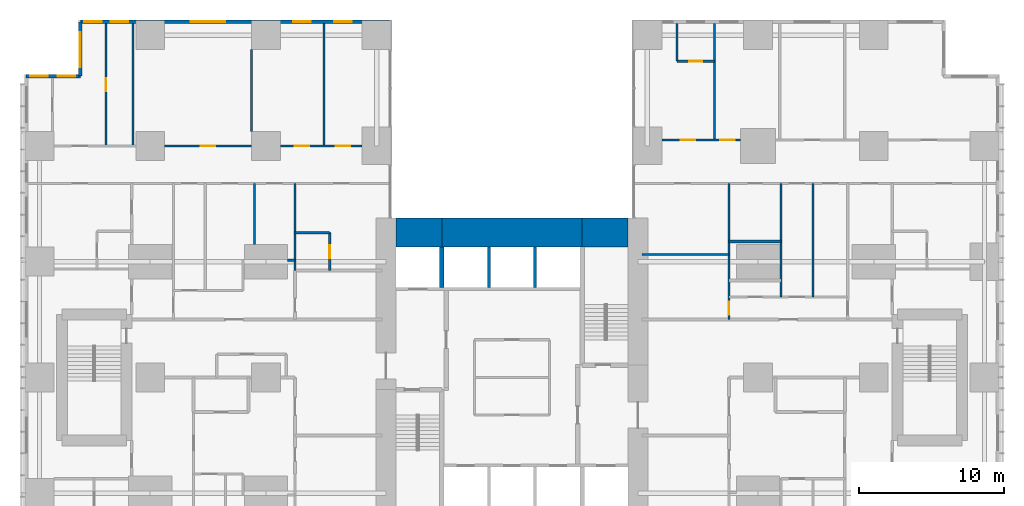
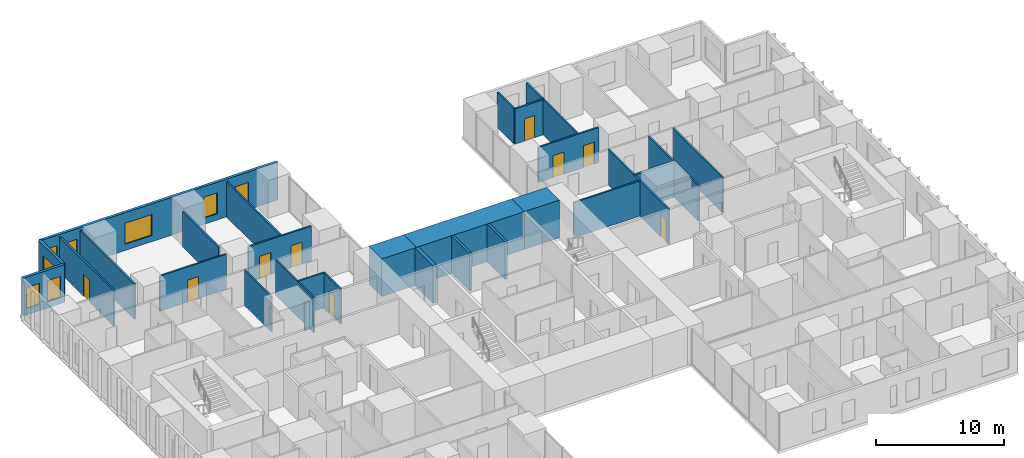
# One storey, part 17 of 20: 29 walls, 9 doors, 8 windows, 17 openings.
"""IFC4 building model written with IfcOpenShell, lengths in metres."""

from ifc_helpers import new_model, si_unit, direction, frame, frame_2d, origin, place, context, subcontext, project, spatial, rectangle, extrude, material, layer, layer_set, type_object, element, fill, save


model = new_model("IFC4")

# Units and contexts
model_context = context("Model", 3, precision=1e-05, world=origin(), true_north=direction((0.0, 1.0)))
body_context = subcontext(model_context, "Body", "Model", "MODEL_VIEW")
ifc_project = project(units=[si_unit("LENGTHUNIT", "METRE"), si_unit("AREAUNIT", "SQUARE_METRE"), si_unit("VOLUMEUNIT", "CUBIC_METRE"), si_unit("PLANEANGLEUNIT", "RADIAN"), si_unit("MASSUNIT", "GRAM", prefix="KILO")], contexts=[model_context])

# Site, building, storey
site_placement = place(None, origin())
site = spatial("IfcSite", under=ifc_project, at=site_placement, CompositionType="ELEMENT")
building_placement = place(site_placement, origin())
building = spatial("IfcBuilding", under=site, at=building_placement, Name="Cleftline Residences", CompositionType="ELEMENT")
storey_placement = place(building_placement, frame((0.0, 0.0, 69.199951171875)))
storey = spatial("IfcBuildingStorey", under=building, at=storey_placement, Name="L17", CompositionType="ELEMENT", Elevation=69.199951171875)

# Walls
ifc_material_1 = material(Name="Concrete B70", Category="concrete")
ifc_layer_1 = layer(ifc_material_1, 2.0)
ifc_layer_set_1 = layer_set([ifc_layer_1], Name="CORE WALL 2000")
wall_type_1 = type_object("IfcWallType", Name="CORE WALL 2000", PredefinedType="SHEAR", material=ifc_layer_set_1)
wall_1_placement = place(storey_placement, frame((25.0, 34.0, 0.0), z_axis=(0.0, 0.0, 1.0), x_axis=(1.0, 0.0, 0.0)))
element("IfcWall", 1, at=wall_1_placement, inside=storey, type_object=wall_type_1, Name="Core wall N1", PredefinedType="SHEAR", context=body_context, shape_type="SweptSolid", body=[
    extrude(rectangle(XDim=3.14990234375, YDim=2.0, at=frame_2d((1.574951171875, 0.0))), origin(), (0.0, 0.0, 1.0), 3.60009765625),
])
wall_2_placement = place(storey_placement, frame((28.14990234375, 34.0, 0.0), z_axis=(0.0, 0.0, 1.0), x_axis=(1.0, 0.0, 0.0)))
element("IfcWall", 2, at=wall_2_placement, inside=storey, type_object=wall_type_1, Name="Core wall N2", PredefinedType="SHEAR", context=body_context, shape_type="SweptSolid", body=[
    extrude(rectangle(XDim=9.7001953125, YDim=2.0, at=frame_2d((4.85009765625, 0.0))), origin(), (0.0, 0.0, 1.0), 3.60009765625),
])
wall_3_placement = place(storey_placement, frame((37.85009765625, 34.0, 0.0), z_axis=(0.0, 0.0, 1.0), x_axis=(1.0, 0.0, 0.0)))
element("IfcWall", 3, at=wall_3_placement, inside=storey, type_object=wall_type_1, Name="Core wall N3", PredefinedType="SHEAR", context=body_context, shape_type="SweptSolid", body=[
    extrude(rectangle(XDim=3.14990234375, YDim=2.0, at=frame_2d((1.574951171875, 0.0))), origin(), (0.0, 0.0, 1.0), 3.60009765625),
])
ifc_material_2 = material(Name="Concrete B70", Category="concrete")
ifc_layer_2 = layer(ifc_material_2, 0.300048828125)
ifc_layer_set_2 = layer_set([ifc_layer_2], Name="CORE WALL 300")
wall_type_2 = type_object("IfcWallType", Name="CORE WALL 300", PredefinedType="SHEAR", material=ifc_layer_set_2)
wall_4_placement = place(storey_placement, frame((28.14990234375, 30.199951171875, 0.0), z_axis=(0.0, 0.0, 1.0), x_axis=(0.0, 1.0, 0.0)))
element("IfcWall", 4, at=wall_4_placement, inside=storey, type_object=wall_type_2, Name="Lift shaft wall", PredefinedType="SHEAR", context=body_context, shape_type="SweptSolid", body=[
    extrude(rectangle(XDim=2.800048828125, YDim=0.300048828125, at=frame_2d((1.39990234375, 0.0))), origin(), (0.0, 0.0, 1.0), 3.60009765625),
])

# Wall, openings, windows
ifc_material_3 = material(Name="Rendered reinforced concrete blockwork", Category="masonry")
ifc_layer_3 = layer(ifc_material_3, 0.25)
ifc_layer_set_3 = layer_set([ifc_layer_3], Name="EXTERNAL WALL 250")
wall_type_3 = type_object("IfcWallType", Name="EXTERNAL WALL 250", PredefinedType="SOLIDWALL", material=ifc_layer_set_3)
wall_5_placement = place(storey_placement, frame((24.574951171875, 48.574951171875, 0.0), z_axis=(0.0, 0.0, 1.0), x_axis=(-1.0, 0.0, 0.0)))
wall_5 = element("IfcWall", 5, at=wall_5_placement, inside=storey, type_object=wall_type_3, Name="External wall", PredefinedType="SOLIDWALL", context=body_context, shape_type="SweptSolid", body=[
    extrude(rectangle(XDim=21.39990234375, YDim=0.25, at=frame_2d((10.699951171875, 0.0))), origin(), (0.0, 0.0, 1.0), 3.60009765625),
])
opening_1_placement = place(wall_5_placement, frame((2.64990234375, 0.0, 0.60009765625)))
opening_1 = element("IfcOpeningElement", 6, at=opening_1_placement, cuts=wall_5, Name="Opening W8", PredefinedType="OPENING", context=body_context, shape_type="SweptSolid", body=[
    extrude(rectangle(XDim=1.199951171875, YDim=2.0, at=frame_2d((0.60009765625, 1.0))), frame((0.0, 0.135009765625, 0.0), z_axis=(0.0, -1.0, 0.0), x_axis=(1.0, 0.0, 0.0)), (0.0, 0.0, 1.0), 0.27001953125),
])
opening_2_placement = place(wall_5_placement, frame((5.47509765625, 0.0, 0.60009765625)))
opening_2 = element("IfcOpeningElement", 7, at=opening_2_placement, cuts=wall_5, Name="Opening W8", PredefinedType="OPENING", context=body_context, shape_type="SweptSolid", body=[
    extrude(rectangle(XDim=1.199951171875, YDim=2.0, at=frame_2d((0.60009765625, 1.0))), frame((0.0, 0.135009765625, 0.0), z_axis=(0.0, -1.0, 0.0), x_axis=(1.0, 0.0, 0.0)), (0.0, 0.0, 1.0), 0.27001953125),
])
opening_3_placement = place(wall_5_placement, frame((11.375, 0.0, 0.60009765625)))
opening_3 = element("IfcOpeningElement", 8, at=opening_3_placement, cuts=wall_5, Name="Opening W6", PredefinedType="OPENING", context=body_context, shape_type="SweptSolid", body=[
    extrude(rectangle(XDim=2.39990234375, YDim=2.0, at=frame_2d((1.199951171875, 1.0))), frame((0.0, 0.135009765625, 0.0), z_axis=(0.0, -1.0, 0.0), x_axis=(1.0, 0.0, 0.0)), (0.0, 0.0, 1.0), 0.27001953125),
])
opening_4_placement = place(wall_5_placement, frame((18.10009765625, 0.0, 0.60009765625)))
opening_4 = element("IfcOpeningElement", 9, at=opening_4_placement, cuts=wall_5, Name="Opening W8", PredefinedType="OPENING", context=body_context, shape_type="SweptSolid", body=[
    extrude(rectangle(XDim=1.199951171875, YDim=2.0, at=frame_2d((0.60009765625, 1.0))), frame((0.0, 0.135009765625, 0.0), z_axis=(0.0, -1.0, 0.0), x_axis=(1.0, 0.0, 0.0)), (0.0, 0.0, 1.0), 0.27001953125),
])
opening_5_placement = place(wall_5_placement, frame((19.925048828125, 0.0, 0.60009765625)))
opening_5 = element("IfcOpeningElement", 10, at=opening_5_placement, cuts=wall_5, Name="Opening W8", PredefinedType="OPENING", context=body_context, shape_type="SweptSolid", body=[
    extrude(rectangle(XDim=1.199951171875, YDim=2.0, at=frame_2d((0.60009765625, 1.0))), frame((0.0, 0.135009765625, 0.0), z_axis=(0.0, -1.0, 0.0), x_axis=(1.0, 0.0, 0.0)), (0.0, 0.0, 1.0), 0.27001953125),
])
ifc_material_4 = material(Name="Aluminium frame, clear double glazing", Category="aluminium")
window_type_1 = type_object("IfcWindowType", Name="WINDOW 1200X2000", PartitioningType="DOUBLE_PANEL_VERTICAL", PredefinedType="WINDOW", material=ifc_material_4)
window_1_placement = place(opening_1_placement, origin())
window_1 = element("IfcWindow", 11, at=window_1_placement, inside=storey, type_object=window_type_1, Name="Window", OverallHeight=2.0, OverallWidth=1.199951171875, PartitioningType="SINGLE_PANEL", PredefinedType="WINDOW", context=body_context, shape_type="SweptSolid", body=[
    extrude(rectangle(XDim=1.199951171875, YDim=2.0, at=frame_2d((0.60009765625, 1.0))), frame((0.0, 0.030029296875, 0.0), z_axis=(0.0, -1.0, 0.0), x_axis=(1.0, 0.0, 0.0)), (0.0, 0.0, 1.0), 0.06005859375),
])
fill(opening_1, window_1)
window_2_placement = place(opening_2_placement, origin())
window_2 = element("IfcWindow", 12, at=window_2_placement, inside=storey, type_object=window_type_1, Name="Window", OverallHeight=2.0, OverallWidth=1.199951171875, PartitioningType="SINGLE_PANEL", PredefinedType="WINDOW", context=body_context, shape_type="SweptSolid", body=[
    extrude(rectangle(XDim=1.199951171875, YDim=2.0, at=frame_2d((0.60009765625, 1.0))), frame((0.0, 0.030029296875, 0.0), z_axis=(0.0, -1.0, 0.0), x_axis=(1.0, 0.0, 0.0)), (0.0, 0.0, 1.0), 0.06005859375),
])
fill(opening_2, window_2)
window_3_placement = place(opening_4_placement, origin())
window_3 = element("IfcWindow", 13, at=window_3_placement, inside=storey, type_object=window_type_1, Name="Window", OverallHeight=2.0, OverallWidth=1.199951171875, PartitioningType="SINGLE_PANEL", PredefinedType="WINDOW", context=body_context, shape_type="SweptSolid", body=[
    extrude(rectangle(XDim=1.199951171875, YDim=2.0, at=frame_2d((0.60009765625, 1.0))), frame((0.0, 0.030029296875, 0.0), z_axis=(0.0, -1.0, 0.0), x_axis=(1.0, 0.0, 0.0)), (0.0, 0.0, 1.0), 0.06005859375),
])
fill(opening_4, window_3)
window_4_placement = place(opening_5_placement, origin())
window_4 = element("IfcWindow", 14, at=window_4_placement, inside=storey, type_object=window_type_1, Name="Window", OverallHeight=2.0, OverallWidth=1.199951171875, PartitioningType="SINGLE_PANEL", PredefinedType="WINDOW", context=body_context, shape_type="SweptSolid", body=[
    extrude(rectangle(XDim=1.199951171875, YDim=2.0, at=frame_2d((0.60009765625, 1.0))), frame((0.0, 0.030029296875, 0.0), z_axis=(0.0, -1.0, 0.0), x_axis=(1.0, 0.0, 0.0)), (0.0, 0.0, 1.0), 0.06005859375),
])
fill(opening_5, window_4)
ifc_material_5 = material(Name="Aluminium frame, clear double glazing", Category="aluminium")
window_type_2 = type_object("IfcWindowType", Name="WINDOW 2400X2000", PartitioningType="DOUBLE_PANEL_VERTICAL", PredefinedType="WINDOW", material=ifc_material_5)
window_5_placement = place(opening_3_placement, origin())
window_5 = element("IfcWindow", 15, at=window_5_placement, inside=storey, type_object=window_type_2, Name="Window", OverallHeight=2.0, OverallWidth=2.39990234375, PartitioningType="SINGLE_PANEL", PredefinedType="WINDOW", context=body_context, shape_type="SweptSolid", body=[
    extrude(rectangle(XDim=2.39990234375, YDim=2.0, at=frame_2d((1.199951171875, 1.0))), frame((0.0, 0.030029296875, 0.0), z_axis=(0.0, -1.0, 0.0), x_axis=(1.0, 0.0, 0.0)), (0.0, 0.0, 1.0), 0.06005859375),
])
fill(opening_3, window_5)

# Wall, opening, window
wall_6_placement = place(storey_placement, frame((3.175048828125, 48.574951171875, 0.0), z_axis=(0.0, 0.0, 1.0), x_axis=(0.0, -1.0, 0.0)))
wall_6 = element("IfcWall", 16, at=wall_6_placement, inside=storey, type_object=wall_type_3, Name="External wall", PredefinedType="SOLIDWALL", context=body_context, shape_type="SweptSolid", body=[
    extrude(rectangle(XDim=3.75, YDim=0.25, at=frame_2d((1.875, 0.0))), origin(), (0.0, 0.0, 1.0), 3.60009765625),
])
opening_6_placement = place(wall_6_placement, frame((0.737548828125, 0.0, 0.60009765625)))
opening_6 = element("IfcOpeningElement", 17, at=opening_6_placement, cuts=wall_6, Name="Opening W6", PredefinedType="OPENING", context=body_context, shape_type="SweptSolid", body=[
    extrude(rectangle(XDim=2.39990234375, YDim=2.0, at=frame_2d((1.199951171875, 1.0))), frame((0.0, 0.135009765625, 0.0), z_axis=(0.0, -1.0, 0.0), x_axis=(1.0, 0.0, 0.0)), (0.0, 0.0, 1.0), 0.27001953125),
])
window_6_placement = place(opening_6_placement, origin())
window_6 = element("IfcWindow", 18, at=window_6_placement, inside=storey, type_object=window_type_2, Name="Window", OverallHeight=2.0, OverallWidth=2.39990234375, PartitioningType="SINGLE_PANEL", PredefinedType="WINDOW", context=body_context, shape_type="SweptSolid", body=[
    extrude(rectangle(XDim=2.39990234375, YDim=2.0, at=frame_2d((1.199951171875, 1.0))), frame((0.0, 0.030029296875, 0.0), z_axis=(0.0, -1.0, 0.0), x_axis=(1.0, 0.0, 0.0)), (0.0, 0.0, 1.0), 0.06005859375),
])
fill(opening_6, window_6)

# Wall, openings, windows
wall_7_placement = place(storey_placement, frame((3.175048828125, 44.824951171875, 0.0), z_axis=(0.0, 0.0, 1.0), x_axis=(-1.0, 0.0, 0.0)))
wall_7 = element("IfcWall", 19, at=wall_7_placement, inside=storey, type_object=wall_type_3, Name="External wall", PredefinedType="SOLIDWALL", context=body_context, shape_type="SweptSolid", body=[
    extrude(rectangle(XDim=3.75, YDim=0.25, at=frame_2d((1.875, 0.0))), origin(), (0.0, 0.0, 1.0), 3.60009765625),
])
opening_7_placement = place(wall_7_placement, frame((0.362548828125, 0.0, 0.60009765625)))
opening_7 = element("IfcOpeningElement", 20, at=opening_7_placement, cuts=wall_7, Name="Opening W8", PredefinedType="OPENING", context=body_context, shape_type="SweptSolid", body=[
    extrude(rectangle(XDim=1.199951171875, YDim=2.0, at=frame_2d((0.60009765625, 1.0))), frame((0.0, 0.135009765625, 0.0), z_axis=(0.0, -1.0, 0.0), x_axis=(1.0, 0.0, 0.0)), (0.0, 0.0, 1.0), 0.27001953125),
])
opening_8_placement = place(wall_7_placement, frame((2.25, 0.0, 0.60009765625)))
opening_8 = element("IfcOpeningElement", 21, at=opening_8_placement, cuts=wall_7, Name="Opening W8", PredefinedType="OPENING", context=body_context, shape_type="SweptSolid", body=[
    extrude(rectangle(XDim=1.199951171875, YDim=2.0, at=frame_2d((0.60009765625, 1.0))), frame((0.0, 0.135009765625, 0.0), z_axis=(0.0, -1.0, 0.0), x_axis=(1.0, 0.0, 0.0)), (0.0, 0.0, 1.0), 0.27001953125),
])
window_7_placement = place(opening_7_placement, origin())
window_7 = element("IfcWindow", 22, at=window_7_placement, inside=storey, type_object=window_type_1, Name="Window", OverallHeight=2.0, OverallWidth=1.199951171875, PartitioningType="SINGLE_PANEL", PredefinedType="WINDOW", context=body_context, shape_type="SweptSolid", body=[
    extrude(rectangle(XDim=1.199951171875, YDim=2.0, at=frame_2d((0.60009765625, 1.0))), frame((0.0, 0.030029296875, 0.0), z_axis=(0.0, -1.0, 0.0), x_axis=(1.0, 0.0, 0.0)), (0.0, 0.0, 1.0), 0.06005859375),
])
fill(opening_7, window_7)
window_8_placement = place(opening_8_placement, origin())
window_8 = element("IfcWindow", 23, at=window_8_placement, inside=storey, type_object=window_type_1, Name="Window", OverallHeight=2.0, OverallWidth=1.199951171875, PartitioningType="SINGLE_PANEL", PredefinedType="WINDOW", context=body_context, shape_type="SweptSolid", body=[
    extrude(rectangle(XDim=1.199951171875, YDim=2.0, at=frame_2d((0.60009765625, 1.0))), frame((0.0, 0.030029296875, 0.0), z_axis=(0.0, -1.0, 0.0), x_axis=(1.0, 0.0, 0.0)), (0.0, 0.0, 1.0), 0.06005859375),
])
fill(opening_8, window_8)

# Walls
ifc_material_6 = material(Name="Concrete blockwork, fire rated", Category="masonry")
ifc_layer_4 = layer(ifc_material_6, 0.199951171875)
ifc_layer_set_4 = layer_set([ifc_layer_4], Name="FIRE WALL 200")
wall_type_4 = type_object("IfcWallType", Name="FIRE WALL 200", PredefinedType="PARTITIONING", material=ifc_layer_set_4)
wall_8_placement = place(storey_placement, frame((48.0, 33.39990234375, 0.0), z_axis=(0.0, 0.0, 1.0), x_axis=(1.0, 0.0, 0.0)))
element("IfcWall", 24, at=wall_8_placement, inside=storey, type_object=wall_type_4, Name="Fire separating wall", PredefinedType="PARTITIONING", context=body_context, shape_type="SweptSolid", body=[
    extrude(rectangle(XDim=3.60009765625, YDim=0.199951171875, at=frame_2d((1.800048828125, 0.0))), origin(), (0.0, 0.0, 1.0), 3.35009765625),
])
ifc_material_7 = material(Name="Gypsum board on steel studs", Category="steel")
ifc_layer_5 = layer(ifc_material_7, 0.14990234375)
ifc_layer_set_5 = layer_set([ifc_layer_5], Name="PARTITION 150")
wall_type_5 = type_object("IfcWallType", Name="PARTITION 150", PredefinedType="PARTITIONING", material=ifc_layer_set_5)
wall_9_placement = place(storey_placement, frame((17.5, 32.10009765625, 0.0), z_axis=(0.0, 0.0, 1.0), x_axis=(1.0, 0.0, 0.0)))
element("IfcWall", 25, at=wall_9_placement, inside=storey, type_object=wall_type_5, Name="Partition", PredefinedType="PARTITIONING", context=body_context, shape_type="SweptSolid", body=[
    extrude(rectangle(XDim=0.5, YDim=0.14990234375, at=frame_2d((0.25, 0.0))), origin(), (0.0, 0.0, 1.0), 2.634033203125),
])
wall_10_placement = place(storey_placement, frame((42.0, 32.5, 0.0), z_axis=(0.0, 0.0, 1.0), x_axis=(1.0, 0.0, 0.0)))
element("IfcWall", 26, at=wall_10_placement, inside=storey, type_object=wall_type_5, Name="Partition", PredefinedType="PARTITIONING", context=body_context, shape_type="SweptSolid", body=[
    extrude(rectangle(XDim=6.0, YDim=0.14990234375, at=frame_2d((3.0, 0.0))), origin(), (0.0, 0.0, 1.0), 3.35009765625),
])
wall_11_placement = place(storey_placement, frame((18.0, 34.0, 0.0), z_axis=(0.0, 0.0, 1.0), x_axis=(1.0, 0.0, 0.0)))
element("IfcWall", 27, at=wall_11_placement, inside=storey, type_object=wall_type_5, Name="Partition", PredefinedType="PARTITIONING", context=body_context, shape_type="SweptSolid", body=[
    extrude(rectangle(XDim=2.39990234375, YDim=0.14990234375, at=frame_2d((1.199951171875, 0.0))), origin(), (0.0, 0.0, 1.0), 3.35009765625),
])

# Wall, opening, door
wall_12_placement = place(storey_placement, frame((9.0, 40.0, 0.0), z_axis=(0.0, 0.0, 1.0), x_axis=(1.0, 0.0, 0.0)))
wall_12 = element("IfcWall", 28, at=wall_12_placement, inside=storey, type_object=wall_type_5, Name="Partition", PredefinedType="PARTITIONING", context=body_context, shape_type="SweptSolid", body=[
    extrude(rectangle(XDim=6.0, YDim=0.14990234375, at=frame_2d((3.0, 0.0))), origin(), (0.0, 0.0, 1.0), 3.35009765625),
])
opening_9_placement = place(wall_12_placement, frame((2.5, 0.0, 0.0)))
opening_9 = element("IfcOpeningElement", 29, at=opening_9_placement, cuts=wall_12, Name="Opening D2", PredefinedType="OPENING", context=body_context, shape_type="SweptSolid", body=[
    extrude(rectangle(XDim=1.0, YDim=2.10009765625, at=frame_2d((0.5, 1.050048828125))), frame((0.0, 0.0849609375, 0.0), z_axis=(0.0, -1.0, 0.0), x_axis=(1.0, 0.0, 0.0)), (0.0, 0.0, 1.0), 0.169921875),
])
ifc_material_8 = material(Name="Timber veneer on solid core", Category="wood")
door_type_1 = type_object("IfcDoorType", Name="DOOR 1000X2100", OperationType="SINGLE_SWING_LEFT", PredefinedType="DOOR", material=ifc_material_8)
door_1_placement = place(opening_9_placement, origin())
door_1 = element("IfcDoor", 30, at=door_1_placement, inside=storey, type_object=door_type_1, Name="Door to living room", OperationType="SINGLE_SWING_LEFT", OverallHeight=2.10009765625, OverallWidth=1.0, PredefinedType="DOOR", context=body_context, shape_type="SweptSolid", body=[
    extrude(rectangle(XDim=1.0, YDim=2.10009765625, at=frame_2d((0.5, 1.050048828125))), frame((0.0, 0.02490234375, 0.0), z_axis=(0.0, -1.0, 0.0), x_axis=(1.0, 0.0, 0.0)), (0.0, 0.0, 1.0), 0.050048828125),
])
fill(opening_9, door_1)

# Wall, openings, doors
wall_13_placement = place(storey_placement, frame((17.0, 40.0, 0.0), z_axis=(0.0, 0.0, 1.0), x_axis=(1.0, 0.0, 0.0)))
wall_13 = element("IfcWall", 31, at=wall_13_placement, inside=storey, type_object=wall_type_5, Name="Partition", PredefinedType="PARTITIONING", context=body_context, shape_type="SweptSolid", body=[
    extrude(rectangle(XDim=5.64990234375, YDim=0.14990234375, at=frame_2d((2.824951171875, 0.0))), origin(), (0.0, 0.0, 1.0), 3.35009765625),
])
opening_10_placement = place(wall_13_placement, frame((1.0, 0.0, 0.0)))
opening_10 = element("IfcOpeningElement", 32, at=opening_10_placement, cuts=wall_13, Name="Opening D2", PredefinedType="OPENING", context=body_context, shape_type="SweptSolid", body=[
    extrude(rectangle(XDim=1.0, YDim=2.10009765625, at=frame_2d((0.5, 1.050048828125))), frame((0.0, 0.0849609375, 0.0), z_axis=(0.0, -1.0, 0.0), x_axis=(1.0, 0.0, 0.0)), (0.0, 0.0, 1.0), 0.169921875),
])
opening_11_placement = place(wall_13_placement, frame((3.824951171875, 0.0, 0.0)))
opening_11 = element("IfcOpeningElement", 33, at=opening_11_placement, cuts=wall_13, Name="Opening D2", PredefinedType="OPENING", context=body_context, shape_type="SweptSolid", body=[
    extrude(rectangle(XDim=1.0, YDim=2.10009765625, at=frame_2d((0.5, 1.050048828125))), frame((0.0, 0.0849609375, 0.0), z_axis=(0.0, -1.0, 0.0), x_axis=(1.0, 0.0, 0.0)), (0.0, 0.0, 1.0), 0.169921875),
])
door_2_placement = place(opening_10_placement, origin())
door_2 = element("IfcDoor", 34, at=door_2_placement, inside=storey, type_object=door_type_1, Name="Door to dining room", OperationType="SINGLE_SWING_RIGHT", OverallHeight=2.10009765625, OverallWidth=1.0, PredefinedType="DOOR", context=body_context, shape_type="SweptSolid", body=[
    extrude(rectangle(XDim=1.0, YDim=2.10009765625, at=frame_2d((0.5, 1.050048828125))), frame((0.0, 0.02490234375, 0.0), z_axis=(0.0, -1.0, 0.0), x_axis=(1.0, 0.0, 0.0)), (0.0, 0.0, 1.0), 0.050048828125),
])
fill(opening_10, door_2)
door_3_placement = place(opening_11_placement, origin())
door_3 = element("IfcDoor", 35, at=door_3_placement, inside=storey, type_object=door_type_1, Name="Door to show kitchen", OperationType="SINGLE_SWING_LEFT", OverallHeight=2.10009765625, OverallWidth=1.0, PredefinedType="DOOR", context=body_context, shape_type="SweptSolid", body=[
    extrude(rectangle(XDim=1.0, YDim=2.10009765625, at=frame_2d((0.5, 1.050048828125))), frame((0.0, 0.02490234375, 0.0), z_axis=(0.0, -1.0, 0.0), x_axis=(1.0, 0.0, 0.0)), (0.0, 0.0, 1.0), 0.050048828125),
])
fill(opening_11, door_3)

wall_14_placement = place(storey_placement, frame((43.35009765625, 40.39990234375, 0.0), z_axis=(0.0, 0.0, 1.0), x_axis=(1.0, 0.0, 0.0)))
wall_14 = element("IfcWall", 36, at=wall_14_placement, inside=storey, type_object=wall_type_5, Name="Partition", PredefinedType="PARTITIONING", context=body_context, shape_type="SweptSolid", body=[
    extrude(rectangle(XDim=5.449951171875, YDim=0.14990234375, at=frame_2d((2.72509765625, 0.0))), origin(), (0.0, 0.0, 1.0), 3.35009765625),
])
opening_12_placement = place(wall_14_placement, frame((4.050048828125, 0.0, 0.0)))
opening_12 = element("IfcOpeningElement", 37, at=opening_12_placement, cuts=wall_14, Name="Opening D2", PredefinedType="OPENING", context=body_context, shape_type="SweptSolid", body=[
    extrude(rectangle(XDim=1.0, YDim=2.10009765625, at=frame_2d((0.5, 1.050048828125))), frame((0.0, 0.0849609375, 0.0), z_axis=(0.0, -1.0, 0.0), x_axis=(1.0, 0.0, 0.0)), (0.0, 0.0, 1.0), 0.169921875),
])
opening_13_placement = place(wall_14_placement, frame((1.324951171875, 0.0, 0.0)))
opening_13 = element("IfcOpeningElement", 38, at=opening_13_placement, cuts=wall_14, Name="Opening D2", PredefinedType="OPENING", context=body_context, shape_type="SweptSolid", body=[
    extrude(rectangle(XDim=1.0, YDim=2.10009765625, at=frame_2d((0.5, 1.050048828125))), frame((0.0, 0.0849609375, 0.0), z_axis=(0.0, -1.0, 0.0), x_axis=(1.0, 0.0, 0.0)), (0.0, 0.0, 1.0), 0.169921875),
])
door_4_placement = place(opening_12_placement, origin())
door_4 = element("IfcDoor", 39, at=door_4_placement, inside=storey, type_object=door_type_1, Name="Door to show kitchen", OperationType="SINGLE_SWING_LEFT", OverallHeight=2.10009765625, OverallWidth=1.0, PredefinedType="DOOR", context=body_context, shape_type="SweptSolid", body=[
    extrude(rectangle(XDim=1.0, YDim=2.10009765625, at=frame_2d((0.5, 1.050048828125))), frame((0.0, 0.02490234375, 0.0), z_axis=(0.0, -1.0, 0.0), x_axis=(1.0, 0.0, 0.0)), (0.0, 0.0, 1.0), 0.050048828125),
])
fill(opening_12, door_4)
door_5_placement = place(opening_13_placement, origin())
door_5 = element("IfcDoor", 40, at=door_5_placement, inside=storey, type_object=door_type_1, Name="Door to bedroom 3", OperationType="SINGLE_SWING_RIGHT", OverallHeight=2.10009765625, OverallWidth=1.0, PredefinedType="DOOR", context=body_context, shape_type="SweptSolid", body=[
    extrude(rectangle(XDim=1.0, YDim=2.10009765625, at=frame_2d((0.5, 1.050048828125))), frame((0.0, 0.02490234375, 0.0), z_axis=(0.0, -1.0, 0.0), x_axis=(1.0, 0.0, 0.0)), (0.0, 0.0, 1.0), 0.050048828125),
])
fill(opening_13, door_5)

# Wall, opening, door
wall_15_placement = place(storey_placement, frame((44.39990234375, 45.85009765625, 0.0), z_axis=(0.0, 0.0, 1.0), x_axis=(1.0, 0.0, 0.0)))
wall_15 = element("IfcWall", 41, at=wall_15_placement, inside=storey, type_object=wall_type_5, Name="Partition", PredefinedType="PARTITIONING", context=body_context, shape_type="SweptSolid", body=[
    extrude(rectangle(XDim=2.60009765625, YDim=0.14990234375, at=frame_2d((1.300048828125, 0.0))), origin(), (0.0, 0.0, 1.0), 3.35009765625),
])
opening_14_placement = place(wall_15_placement, frame((0.85009765625, 0.0, 0.0)))
opening_14 = element("IfcOpeningElement", 42, at=opening_14_placement, cuts=wall_15, Name="Opening D1", PredefinedType="OPENING", context=body_context, shape_type="SweptSolid", body=[
    extrude(rectangle(XDim=0.89990234375, YDim=2.10009765625, at=frame_2d((0.449951171875, 1.050048828125))), frame((0.0, 0.0849609375, 0.0), z_axis=(0.0, -1.0, 0.0), x_axis=(1.0, 0.0, 0.0)), (0.0, 0.0, 1.0), 0.169921875),
])
ifc_material_9 = material(Name="Timber veneer on solid core", Category="wood")
door_type_2 = type_object("IfcDoorType", Name="DOOR 900X2100", OperationType="SINGLE_SWING_LEFT", PredefinedType="DOOR", material=ifc_material_9)
door_6_placement = place(opening_14_placement, origin())
door_6 = element("IfcDoor", 43, at=door_6_placement, inside=storey, type_object=door_type_2, Name="Door to en-suite bathroom 3", OperationType="SINGLE_SWING_LEFT", OverallHeight=2.10009765625, OverallWidth=0.89990234375, PredefinedType="DOOR", context=body_context, shape_type="SweptSolid", body=[
    extrude(rectangle(XDim=0.89990234375, YDim=2.10009765625, at=frame_2d((0.449951171875, 1.050048828125))), frame((0.0, 0.02490234375, 0.0), z_axis=(0.0, -1.0, 0.0), x_axis=(1.0, 0.0, 0.0)), (0.0, 0.0, 1.0), 0.050048828125),
])
fill(opening_14, door_6)

wall_16_placement = place(storey_placement, frame((4.949951171875, 40.0, 0.0), z_axis=(0.0, 0.0, 1.0), x_axis=(0.0, 1.0, 0.0)))
wall_16 = element("IfcWall", 44, at=wall_16_placement, inside=storey, type_object=wall_type_5, Name="Partition", PredefinedType="PARTITIONING", context=body_context, shape_type="SweptSolid", body=[
    extrude(rectangle(XDim=8.449951171875, YDim=0.14990234375, at=frame_2d((4.22509765625, 0.0))), origin(), (0.0, 0.0, 1.0), 3.35009765625),
])
opening_15_placement = place(wall_16_placement, frame((3.77490234375, 0.0, 0.0)))
opening_15 = element("IfcOpeningElement", 45, at=opening_15_placement, cuts=wall_16, Name="Opening D1", PredefinedType="OPENING", context=body_context, shape_type="SweptSolid", body=[
    extrude(rectangle(XDim=0.89990234375, YDim=2.10009765625, at=frame_2d((0.449951171875, 1.050048828125))), frame((0.0, 0.0849609375, 0.0), z_axis=(0.0, -1.0, 0.0), x_axis=(1.0, 0.0, 0.0)), (0.0, 0.0, 1.0), 0.169921875),
])
door_7_placement = place(opening_15_placement, origin())
door_7 = element("IfcDoor", 46, at=door_7_placement, inside=storey, type_object=door_type_2, Name="Door to en-suite bathroom 2", OperationType="SINGLE_SWING_LEFT", OverallHeight=2.10009765625, OverallWidth=0.89990234375, PredefinedType="DOOR", context=body_context, shape_type="SweptSolid", body=[
    extrude(rectangle(XDim=0.89990234375, YDim=2.10009765625, at=frame_2d((0.449951171875, 1.050048828125))), frame((0.0, 0.02490234375, 0.0), z_axis=(0.0, -1.0, 0.0), x_axis=(1.0, 0.0, 0.0)), (0.0, 0.0, 1.0), 0.050048828125),
])
fill(opening_15, door_7)

# Walls
wall_17_placement = place(storey_placement, frame((6.800048828125, 40.0, 0.0), z_axis=(0.0, 0.0, 1.0), x_axis=(0.0, 1.0, 0.0)))
element("IfcWall", 47, at=wall_17_placement, inside=storey, type_object=wall_type_5, Name="Partition", PredefinedType="PARTITIONING", context=body_context, shape_type="SweptSolid", body=[
    extrude(rectangle(XDim=8.449951171875, YDim=0.14990234375, at=frame_2d((4.22509765625, 0.0))), origin(), (0.0, 0.0, 1.0), 3.35009765625),
])
wall_18_placement = place(storey_placement, frame((15.0, 41.0, 0.0), z_axis=(0.0, 0.0, 1.0), x_axis=(0.0, 1.0, 0.0)))
element("IfcWall", 48, at=wall_18_placement, inside=storey, type_object=wall_type_5, Name="Partition", PredefinedType="PARTITIONING", context=body_context, shape_type="SweptSolid", body=[
    extrude(rectangle(XDim=5.64990234375, YDim=0.14990234375, at=frame_2d((2.824951171875, 0.0))), origin(), (0.0, 0.0, 1.0), 3.35009765625),
])
wall_19_placement = place(storey_placement, frame((15.199951171875, 33.199951171875, 0.0), z_axis=(0.0, 0.0, 1.0), x_axis=(0.0, 1.0, 0.0)))
element("IfcWall", 49, at=wall_19_placement, inside=storey, type_object=wall_type_5, Name="Partition", PredefinedType="PARTITIONING", context=body_context, shape_type="SweptSolid", body=[
    extrude(rectangle(XDim=4.199951171875, YDim=0.14990234375, at=frame_2d((2.10009765625, 0.0))), origin(), (0.0, 0.0, 1.0), 3.35009765625),
])
wall_20_placement = place(storey_placement, frame((18.0, 31.39990234375, 0.0), z_axis=(0.0, 0.0, 1.0), x_axis=(0.0, 1.0, 0.0)))
element("IfcWall", 50, at=wall_20_placement, inside=storey, type_object=wall_type_5, Name="Partition", PredefinedType="PARTITIONING", context=body_context, shape_type="SweptSolid", body=[
    extrude(rectangle(XDim=6.0, YDim=0.14990234375, at=frame_2d((3.0, 0.0))), origin(), (0.0, 0.0, 1.0), 3.35009765625),
])
wall_21_placement = place(storey_placement, frame((20.0, 40.0, 0.0), z_axis=(0.0, 0.0, 1.0), x_axis=(0.0, 1.0, 0.0)))
element("IfcWall", 51, at=wall_21_placement, inside=storey, type_object=wall_type_5, Name="Partition", PredefinedType="PARTITIONING", context=body_context, shape_type="SweptSolid", body=[
    extrude(rectangle(XDim=8.449951171875, YDim=0.14990234375, at=frame_2d((4.22509765625, 0.0))), origin(), (0.0, 0.0, 1.0), 3.35009765625),
])

# Wall, opening, door
wall_22_placement = place(storey_placement, frame((20.39990234375, 31.39990234375, 0.0), z_axis=(0.0, 0.0, 1.0), x_axis=(0.0, 1.0, 0.0)))
wall_22 = element("IfcWall", 52, at=wall_22_placement, inside=storey, type_object=wall_type_5, Name="Partition", PredefinedType="PARTITIONING", context=body_context, shape_type="SweptSolid", body=[
    extrude(rectangle(XDim=2.60009765625, YDim=0.14990234375, at=frame_2d((1.300048828125, 0.0))), origin(), (0.0, 0.0, 1.0), 3.35009765625),
])
opening_16_placement = place(wall_22_placement, frame((0.85009765625, 0.0, 0.0)))
opening_16 = element("IfcOpeningElement", 53, at=opening_16_placement, cuts=wall_22, Name="Opening D1", PredefinedType="OPENING", context=body_context, shape_type="SweptSolid", body=[
    extrude(rectangle(XDim=0.89990234375, YDim=2.10009765625, at=frame_2d((0.449951171875, 1.050048828125))), frame((0.0, 0.0849609375, 0.0), z_axis=(0.0, -1.0, 0.0), x_axis=(1.0, 0.0, 0.0)), (0.0, 0.0, 1.0), 0.169921875),
])
door_8_placement = place(opening_16_placement, origin())
door_8 = element("IfcDoor", 54, at=door_8_placement, inside=storey, type_object=door_type_2, Name="Door to en-suite bathroom 3", OperationType="SINGLE_SWING_LEFT", OverallHeight=2.10009765625, OverallWidth=0.89990234375, PredefinedType="DOOR", context=body_context, shape_type="SweptSolid", body=[
    extrude(rectangle(XDim=0.89990234375, YDim=2.10009765625, at=frame_2d((0.449951171875, 1.050048828125))), frame((0.0, 0.02490234375, 0.0), z_axis=(0.0, -1.0, 0.0), x_axis=(1.0, 0.0, 0.0)), (0.0, 0.0, 1.0), 0.050048828125),
])
fill(opening_16, door_8)

# Walls
wall_23_placement = place(storey_placement, frame((44.39990234375, 45.85009765625, 0.0), z_axis=(0.0, 0.0, 1.0), x_axis=(0.0, 1.0, 0.0)))
element("IfcWall", 55, at=wall_23_placement, inside=storey, type_object=wall_type_5, Name="Partition", PredefinedType="PARTITIONING", context=body_context, shape_type="SweptSolid", body=[
    extrude(rectangle(XDim=2.599853515625, YDim=0.14990234375, at=frame_2d((1.2998046875, 0.0))), origin(), (0.0, 0.0, 1.0), 3.35009765625),
])
wall_24_placement = place(storey_placement, frame((47.0, 40.39990234375, 0.0), z_axis=(0.0, 0.0, 1.0), x_axis=(0.0, 1.0, 0.0)))
element("IfcWall", 56, at=wall_24_placement, inside=storey, type_object=wall_type_5, Name="Partition", PredefinedType="PARTITIONING", context=body_context, shape_type="SweptSolid", body=[
    extrude(rectangle(XDim=8.050048828125, YDim=0.14990234375, at=frame_2d((4.02490234375, 0.0))), origin(), (0.0, 0.0, 1.0), 3.35009765625),
])

# Wall, opening, door
wall_25_placement = place(storey_placement, frame((48.0, 28.0, 0.0), z_axis=(0.0, 0.0, 1.0), x_axis=(0.0, 1.0, 0.0)))
wall_25 = element("IfcWall", 57, at=wall_25_placement, inside=storey, type_object=wall_type_5, Name="Partition", PredefinedType="PARTITIONING", context=body_context, shape_type="SweptSolid", body=[
    extrude(rectangle(XDim=9.39990234375, YDim=0.14990234375, at=frame_2d((4.699951171875, 0.0))), origin(), (0.0, 0.0, 1.0), 3.35009765625),
])
opening_17_placement = place(wall_25_placement, frame((0.324951171875, 0.0, 0.0)))
opening_17 = element("IfcOpeningElement", 58, at=opening_17_placement, cuts=wall_25, Name="Opening D1", PredefinedType="OPENING", context=body_context, shape_type="SweptSolid", body=[
    extrude(rectangle(XDim=0.89990234375, YDim=2.10009765625, at=frame_2d((0.449951171875, 1.050048828125))), frame((0.0, 0.0849609375, 0.0), z_axis=(0.0, -1.0, 0.0), x_axis=(1.0, 0.0, 0.0)), (0.0, 0.0, 1.0), 0.169921875),
])
door_9_placement = place(opening_17_placement, origin())
door_9 = element("IfcDoor", 59, at=door_9_placement, inside=storey, type_object=door_type_2, Name="Door to utility room", OperationType="SINGLE_SWING_RIGHT", OverallHeight=2.10009765625, OverallWidth=0.89990234375, PredefinedType="DOOR", context=body_context, shape_type="SweptSolid", body=[
    extrude(rectangle(XDim=0.89990234375, YDim=2.10009765625, at=frame_2d((0.449951171875, 1.050048828125))), frame((0.0, 0.02490234375, 0.0), z_axis=(0.0, -1.0, 0.0), x_axis=(1.0, 0.0, 0.0)), (0.0, 0.0, 1.0), 0.050048828125),
])
fill(opening_17, door_9)

# Walls
for number, where, z_axis, x_axis, name in (
    (60, (51.60009765625, 29.550048828125, 0.0), (0.0, 0.0, 1.0), (0.0, 1.0, 0.0), "Partition"),
    (61, (53.800048828125, 29.550048828125, 0.0), (0.0, 0.0, 1.0), (0.0, 1.0, 0.0), "Partition"),
):
    element("IfcWall", number, at=place(storey_placement, frame(where, z_axis=z_axis, x_axis=x_axis)), inside=storey, type_object=wall_type_5, Name=name, PredefinedType="PARTITIONING", context=body_context, shape_type="SweptSolid", body=[
        extrude(rectangle(XDim=7.849853515625, YDim=0.14990234375, at=frame_2d((3.9248046875, 0.0))), origin(), (0.0, 0.0, 1.0), 3.35009765625),
    ])
ifc_material_10 = material(Name="Concrete blockwork, fire rated", Category="masonry")
ifc_layer_6 = layer(ifc_material_10, 0.199951171875)
ifc_layer_set_6 = layer_set([ifc_layer_6], Name="SHAFT WALL 200")
wall_type_6 = type_object("IfcWallType", Name="SHAFT WALL 200", PredefinedType="PARTITIONING", material=ifc_layer_set_6)
for number, where, z_axis, x_axis, name in (
    (62, (31.39990234375, 30.199951171875, 0.0), (0.0, 0.0, 1.0), (0.0, 1.0, 0.0), "Lift shaft wall"),
    (63, (34.60009765625, 30.199951171875, 0.0), (0.0, 0.0, 1.0), (0.0, 1.0, 0.0), "Lift shaft wall"),
):
    element("IfcWall", number, at=place(storey_placement, frame(where, z_axis=z_axis, x_axis=x_axis)), inside=storey, type_object=wall_type_6, Name=name, PredefinedType="PARTITIONING", context=body_context, shape_type="SweptSolid", body=[
        extrude(rectangle(XDim=2.800048828125, YDim=0.199951171875, at=frame_2d((1.39990234375, 0.0))), origin(), (0.0, 0.0, 1.0), 3.60009765625),
    ])

save(model, "model.ifc")
